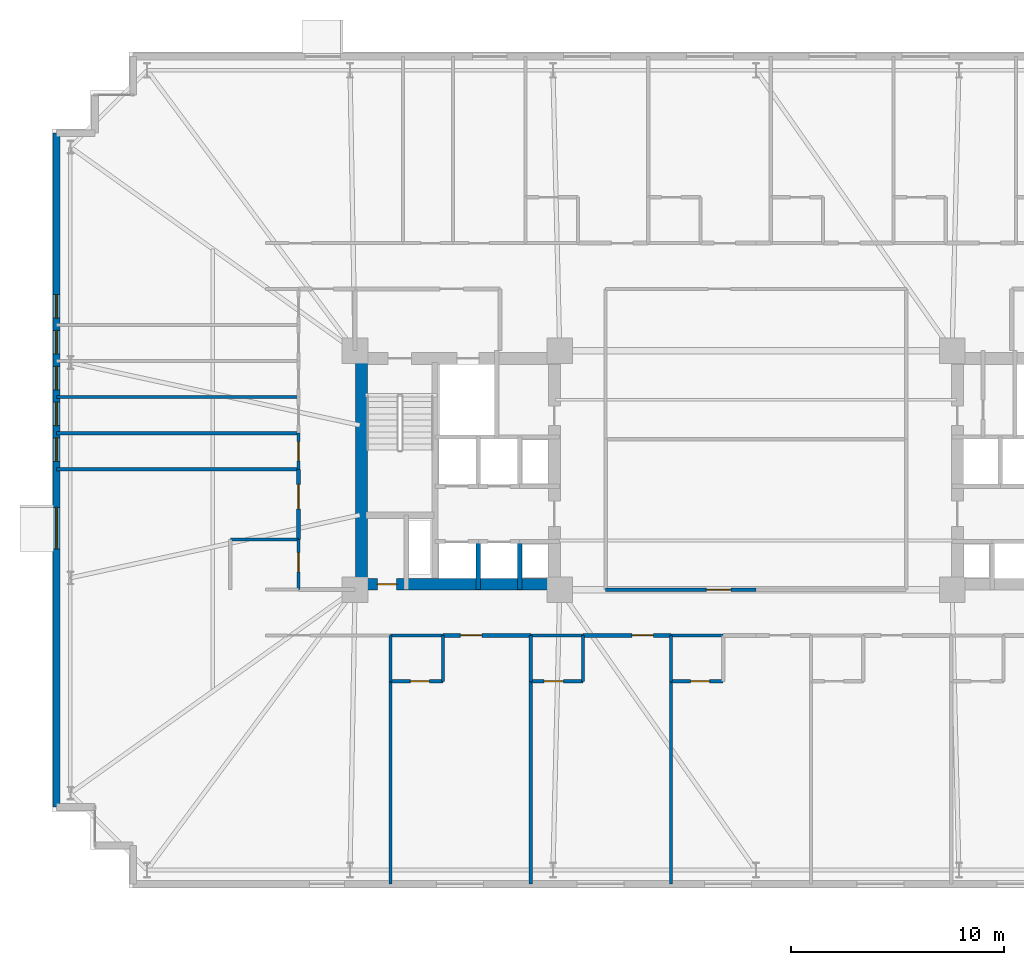
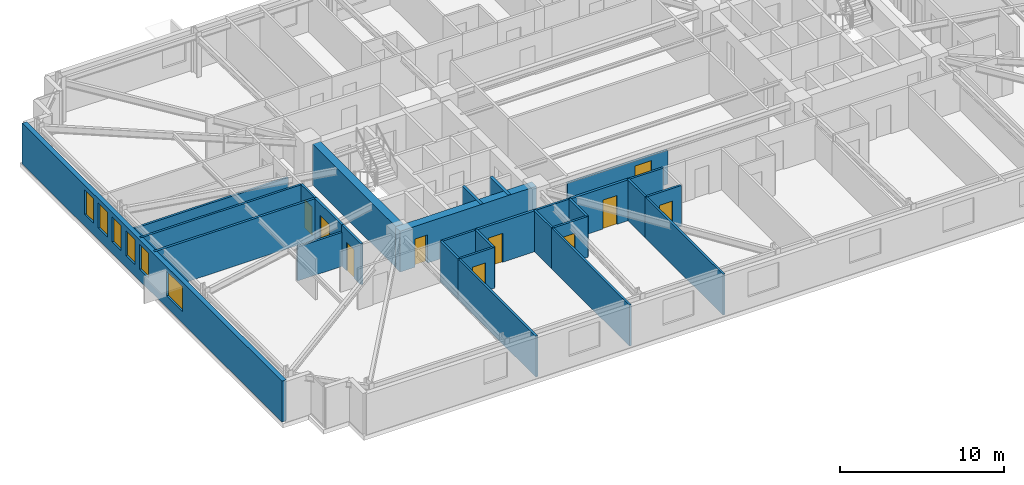
# One storey, part 14 of 21: 29 walls, 10 doors, 6 windows, 16 openings.
"""IFC4 building model written with IfcOpenShell, lengths in metres."""

from ifc_helpers import new_model, si_unit, direction, frame, frame_2d, origin, place, context, subcontext, project, spatial, rectangle, extrude, material, layer, layer_set, type_object, element, fill, save


model = new_model("IFC4")

# Units and contexts
model_context = context("Model", 3, precision=1e-05, world=origin(), true_north=direction((0.0, 1.0)))
body_context = subcontext(model_context, "Body", "Model", "MODEL_VIEW")
ifc_project = project(units=[si_unit("LENGTHUNIT", "METRE"), si_unit("AREAUNIT", "SQUARE_METRE"), si_unit("VOLUMEUNIT", "CUBIC_METRE"), si_unit("PLANEANGLEUNIT", "RADIAN"), si_unit("MASSUNIT", "GRAM", prefix="KILO")], contexts=[model_context])

# Site, building, storey
site_placement = place(None, origin())
site = spatial("IfcSite", under=ifc_project, at=site_placement, CompositionType="ELEMENT")
building_placement = place(site_placement, origin())
building = spatial("IfcBuilding", under=site, at=building_placement, Name="Qobustan Lattice House", CompositionType="ELEMENT")
storey_placement = place(building_placement, frame((0.0, 0.0, 57.14990234375)))
storey = spatial("IfcBuildingStorey", under=building, at=storey_placement, Name="L15", CompositionType="ELEMENT", Elevation=57.14990234375)

# Wall, opening, door
ifc_material_1 = material(Name="Concrete C60/75", Category="concrete")
ifc_layer_1 = layer(ifc_material_1, 0.56005859375)
ifc_layer_set_1 = layer_set([ifc_layer_1], Name="Concrete C60/75")
wall_type_1 = type_object("IfcWallType", Name="WAL-CORE-600", PredefinedType="SHEAR", material=ifc_layer_set_1)
wall_1_placement = place(storey_placement, frame((-18.800048828125, -5.35009765625, 0.0), z_axis=(0.0, 0.0, 1.0), x_axis=(1.0, 0.0, 0.0)))
wall_1 = element("IfcWall", 1, at=wall_1_placement, inside=storey, type_object=wall_type_1, Name="L15 split-core shear wall CW-S", PredefinedType="SHEAR", context=body_context, shape_type="SweptSolid", body=[
    extrude(rectangle(XDim=9.60009765625, YDim=0.56005859375, at=frame_2d((4.800048828125, 0.0))), origin(), (0.0, 0.0, 1.0), 3.03515625),
])
opening_1_placement = place(wall_1_placement, frame((1.050048828125, 0.0, 0.0)))
opening_1 = element("IfcOpeningElement", 2, at=opening_1_placement, cuts=wall_1, Name="Opening RD-01", PredefinedType="OPENING", context=body_context, shape_type="SweptSolid", body=[
    extrude(rectangle(XDim=0.89990234375, YDim=2.10009765625, at=frame_2d((0.449951171875, 1.050048828125))), frame((0.0, 0.2900390625, 0.0), z_axis=(0.0, -1.0, 0.0), x_axis=(1.0, 0.0, 0.0)), (0.0, 0.0, 1.0), 0.580078125),
])
ifc_material_2 = material(Name="Persian walnut timber and steel frame door", Category="steel")
door_type_1 = type_object("IfcDoorType", Name="DOR-RISER-FD-900x2100", OperationType="NOTDEFINED", PredefinedType="DOOR", material=ifc_material_2)
door_1_placement = place(opening_1_placement, origin())
door_1 = element("IfcDoor", 3, at=door_1_placement, inside=storey, type_object=door_type_1, Name="L15 core service riser access door W", OperationType="SINGLE_SWING_RIGHT", OverallHeight=2.10009765625, OverallWidth=0.89990234375, PredefinedType="DOOR", context=body_context, shape_type="SweptSolid", body=[
    extrude(rectangle(XDim=0.89990234375, YDim=2.10009765625, at=frame_2d((0.449951171875, 1.050048828125))), frame((0.0, 0.02490234375, 0.0), z_axis=(0.0, -1.0, 0.0), x_axis=(1.0, 0.0, 0.0)), (0.0, 0.0, 1.0), 0.050048828125),
])
fill(opening_1, door_1)

# Wall
wall_2_placement = place(storey_placement, frame((-18.489990234375, -5.050048828125, 0.0), z_axis=(0.0, 0.0, 1.0), x_axis=(0.0, 1.0, 0.0)))
element("IfcWall", 4, at=wall_2_placement, inside=storey, type_object=wall_type_1, Name="L15 split-core shear wall CW-W", PredefinedType="SHEAR", context=body_context, shape_type="SweptSolid", body=[
    extrude(rectangle(XDim=10.10009765625, YDim=0.56005859375, at=frame_2d((5.050048828125, 0.0))), origin(), (0.0, 0.0, 1.0), 3.03515625),
])

# Wall, openings, windows
ifc_material_3 = material(Name="Precast concrete C40/50", Category="concrete")
ifc_layer_2 = layer(ifc_material_3, 0.320068359375)
ifc_layer_set_2 = layer_set([ifc_layer_2], Name="Precast concrete C40/50")
wall_type_2 = type_object("IfcWallType", Name="WAL-EXT-STONE-320", PredefinedType="SOLIDWALL", material=ifc_layer_set_2)
wall_3_placement = place(storey_placement, frame((-32.800048828125, -15.800048828125, 0.0), z_axis=(0.0, 0.0, 1.0), x_axis=(0.0, 1.0, 0.0)))
wall_3 = element("IfcWall", 5, at=wall_3_placement, inside=storey, type_object=wall_type_2, Name="L15 exterior limestone-clad wall 5", PredefinedType="SOLIDWALL", context=body_context, shape_type="SweptSolid", body=[
    extrude(rectangle(XDim=31.60009765625, YDim=0.320068359375, at=frame_2d((15.800048828125, 0.0))), origin(), (0.0, 0.0, 1.0), 3.03515625),
])
opening_2_placement = place(wall_3_placement, frame((12.10498046875, 0.0, 0.85009765625)))
opening_2 = element("IfcOpeningElement", 6, at=opening_2_placement, cuts=wall_3, Name="Opening WN-08", PredefinedType="OPENING", context=body_context, shape_type="SweptSolid", body=[
    extrude(rectangle(XDim=1.949951171875, YDim=1.85009765625, at=frame_2d((0.97509765625, 0.925048828125))), frame((0.0, 0.169921875, 0.0), z_axis=(0.0, -1.0, 0.0), x_axis=(1.0, 0.0, 0.0)), (0.0, 0.0, 1.0), 0.340087890625),
])
opening_3_placement = place(wall_3_placement, frame((16.2099609375, 0.0, 0.85009765625)))
opening_3 = element("IfcOpeningElement", 7, at=opening_3_placement, cuts=wall_3, Name="Opening WN-04", PredefinedType="OPENING", context=body_context, shape_type="SweptSolid", body=[
    extrude(rectangle(XDim=1.10009765625, YDim=1.85009765625, at=frame_2d((0.550048828125, 0.925048828125))), frame((0.0, 0.169921875, 0.0), z_axis=(0.0, -1.0, 0.0), x_axis=(1.0, 0.0, 0.0)), (0.0, 0.0, 1.0), 0.340087890625),
])
opening_4_placement = place(wall_3_placement, frame((17.889892578125, 0.0, 0.85009765625)))
opening_4 = element("IfcOpeningElement", 8, at=opening_4_placement, cuts=wall_3, Name="Opening WN-04", PredefinedType="OPENING", context=body_context, shape_type="SweptSolid", body=[
    extrude(rectangle(XDim=1.10009765625, YDim=1.85009765625, at=frame_2d((0.550048828125, 0.925048828125))), frame((0.0, 0.169921875, 0.0), z_axis=(0.0, -1.0, 0.0), x_axis=(1.0, 0.0, 0.0)), (0.0, 0.0, 1.0), 0.340087890625),
])
opening_5_placement = place(wall_3_placement, frame((19.570068359375, 0.0, 0.85009765625)))
opening_5 = element("IfcOpeningElement", 9, at=opening_5_placement, cuts=wall_3, Name="Opening WN-04", PredefinedType="OPENING", context=body_context, shape_type="SweptSolid", body=[
    extrude(rectangle(XDim=1.10009765625, YDim=1.85009765625, at=frame_2d((0.550048828125, 0.925048828125))), frame((0.0, 0.169921875, 0.0), z_axis=(0.0, -1.0, 0.0), x_axis=(1.0, 0.0, 0.0)), (0.0, 0.0, 1.0), 0.340087890625),
])
opening_6_placement = place(wall_3_placement, frame((21.25, 0.0, 0.85009765625)))
opening_6 = element("IfcOpeningElement", 10, at=opening_6_placement, cuts=wall_3, Name="Opening WN-04", PredefinedType="OPENING", context=body_context, shape_type="SweptSolid", body=[
    extrude(rectangle(XDim=1.10009765625, YDim=1.85009765625, at=frame_2d((0.550048828125, 0.925048828125))), frame((0.0, 0.169921875, 0.0), z_axis=(0.0, -1.0, 0.0), x_axis=(1.0, 0.0, 0.0)), (0.0, 0.0, 1.0), 0.340087890625),
])
opening_7_placement = place(wall_3_placement, frame((22.929931640625, 0.0, 0.85009765625)))
opening_7 = element("IfcOpeningElement", 11, at=opening_7_placement, cuts=wall_3, Name="Opening WN-04", PredefinedType="OPENING", context=body_context, shape_type="SweptSolid", body=[
    extrude(rectangle(XDim=1.10009765625, YDim=1.85009765625, at=frame_2d((0.550048828125, 0.925048828125))), frame((0.0, 0.169921875, 0.0), z_axis=(0.0, -1.0, 0.0), x_axis=(1.0, 0.0, 0.0)), (0.0, 0.0, 1.0), 0.340087890625),
])
ifc_material_4 = material(Name="Double-glazed low-E aluminium window", Category="aluminium")
window_type_1 = type_object("IfcWindowType", Name="WIN-KIT-1950x1850", PartitioningType="SINGLE_PANEL", PredefinedType="WINDOW", material=ifc_material_4)
window_1_placement = place(opening_2_placement, origin())
window_1 = element("IfcWindow", 12, at=window_1_placement, inside=storey, type_object=window_type_1, Name="L15 Shared kitchen L15W window", OverallHeight=1.85009765625, OverallWidth=1.949951171875, PartitioningType="SINGLE_PANEL", PredefinedType="WINDOW", context=body_context, shape_type="SweptSolid", body=[
    extrude(rectangle(XDim=1.949951171875, YDim=1.85009765625, at=frame_2d((0.97509765625, 0.925048828125))), frame((0.0, 0.030029296875, 0.0), z_axis=(0.0, -1.0, 0.0), x_axis=(1.0, 0.0, 0.0)), (0.0, 0.0, 1.0), 0.06005859375),
])
fill(opening_2, window_1)
ifc_material_5 = material(Name="Double-glazed low-E aluminium window", Category="aluminium")
window_type_2 = type_object("IfcWindowType", Name="WIN-NAR-1100x1850", PartitioningType="SINGLE_PANEL", PredefinedType="WINDOW", material=ifc_material_5)
window_2_placement = place(opening_3_placement, origin())
window_2 = element("IfcWindow", 13, at=window_2_placement, inside=storey, type_object=window_type_2, Name="L15 Cluster bedroom L15W1 window", OverallHeight=1.85009765625, OverallWidth=1.10009765625, PartitioningType="SINGLE_PANEL", PredefinedType="WINDOW", context=body_context, shape_type="SweptSolid", body=[
    extrude(rectangle(XDim=1.10009765625, YDim=1.85009765625, at=frame_2d((0.550048828125, 0.925048828125))), frame((0.0, 0.030029296875, 0.0), z_axis=(0.0, -1.0, 0.0), x_axis=(1.0, 0.0, 0.0)), (0.0, 0.0, 1.0), 0.06005859375),
])
fill(opening_3, window_2)
window_3_placement = place(opening_4_placement, origin())
window_3 = element("IfcWindow", 14, at=window_3_placement, inside=storey, type_object=window_type_2, Name="L15 Cluster bedroom L15W2 window", OverallHeight=1.85009765625, OverallWidth=1.10009765625, PartitioningType="SINGLE_PANEL", PredefinedType="WINDOW", context=body_context, shape_type="SweptSolid", body=[
    extrude(rectangle(XDim=1.10009765625, YDim=1.85009765625, at=frame_2d((0.550048828125, 0.925048828125))), frame((0.0, 0.030029296875, 0.0), z_axis=(0.0, -1.0, 0.0), x_axis=(1.0, 0.0, 0.0)), (0.0, 0.0, 1.0), 0.06005859375),
])
fill(opening_4, window_3)
window_4_placement = place(opening_5_placement, origin())
window_4 = element("IfcWindow", 15, at=window_4_placement, inside=storey, type_object=window_type_2, Name="L15 Cluster bedroom L15W3 window", OverallHeight=1.85009765625, OverallWidth=1.10009765625, PartitioningType="SINGLE_PANEL", PredefinedType="WINDOW", context=body_context, shape_type="SweptSolid", body=[
    extrude(rectangle(XDim=1.10009765625, YDim=1.85009765625, at=frame_2d((0.550048828125, 0.925048828125))), frame((0.0, 0.030029296875, 0.0), z_axis=(0.0, -1.0, 0.0), x_axis=(1.0, 0.0, 0.0)), (0.0, 0.0, 1.0), 0.06005859375),
])
fill(opening_5, window_4)
window_5_placement = place(opening_6_placement, origin())
window_5 = element("IfcWindow", 16, at=window_5_placement, inside=storey, type_object=window_type_2, Name="L15 Cluster bedroom L15W4 window", OverallHeight=1.85009765625, OverallWidth=1.10009765625, PartitioningType="SINGLE_PANEL", PredefinedType="WINDOW", context=body_context, shape_type="SweptSolid", body=[
    extrude(rectangle(XDim=1.10009765625, YDim=1.85009765625, at=frame_2d((0.550048828125, 0.925048828125))), frame((0.0, 0.030029296875, 0.0), z_axis=(0.0, -1.0, 0.0), x_axis=(1.0, 0.0, 0.0)), (0.0, 0.0, 1.0), 0.06005859375),
])
fill(opening_6, window_5)
window_6_placement = place(opening_7_placement, origin())
window_6 = element("IfcWindow", 17, at=window_6_placement, inside=storey, type_object=window_type_2, Name="L15 Cluster bedroom L15W5 window", OverallHeight=1.85009765625, OverallWidth=1.10009765625, PartitioningType="SINGLE_PANEL", PredefinedType="WINDOW", context=body_context, shape_type="SweptSolid", body=[
    extrude(rectangle(XDim=1.10009765625, YDim=1.85009765625, at=frame_2d((0.550048828125, 0.925048828125))), frame((0.0, 0.030029296875, 0.0), z_axis=(0.0, -1.0, 0.0), x_axis=(1.0, 0.0, 0.0)), (0.0, 0.0, 1.0), 0.06005859375),
])
fill(opening_7, window_6)

# Wall, opening, door
ifc_material_6 = material(Name="Gypsum fireboard acoustic partition", Category="gypsum")
ifc_layer_3 = layer(ifc_material_6, 0.179931640625)
ifc_layer_set_3 = layer_set([ifc_layer_3], Name="Gypsum fireboard acoustic partition")
wall_type_3 = type_object("IfcWallType", Name="WAL-FIRE-180", PredefinedType="PARTITIONING", material=ifc_layer_set_3)
wall_4_placement = place(storey_placement, frame((-10.556884765625, -7.75, 0.0), z_axis=(0.0, 0.0, 1.0), x_axis=(-1.0, 0.0, 0.0)))
wall_4 = element("IfcWall", 18, at=wall_4_placement, inside=storey, type_object=wall_type_3, Name="L15 interior partition 60", PredefinedType="PARTITIONING", context=body_context, shape_type="SweptSolid", body=[
    extrude(rectangle(XDim=4.1220703125, YDim=0.179931640625, at=frame_2d((2.06103515625, 0.0))), origin(), (0.0, 0.0, 1.0), 3.03515625),
])
opening_8_placement = place(wall_4_placement, frame((2.296630859375, 0.0, 0.0)))
opening_8 = element("IfcOpeningElement", 19, at=opening_8_placement, cuts=wall_4, Name="Opening FD-02", PredefinedType="OPENING", context=body_context, shape_type="SweptSolid", body=[
    extrude(rectangle(XDim=1.0, YDim=2.14990234375, at=frame_2d((0.5, 1.074951171875))), frame((0.0, 0.099853515625, 0.0), z_axis=(0.0, -1.0, 0.0), x_axis=(1.0, 0.0, 0.0)), (0.0, 0.0, 1.0), 0.199951171875),
])
ifc_material_7 = material(Name="Persian walnut timber and steel frame door", Category="steel")
door_type_2 = type_object("IfcDoorType", Name="DOR-UNIT-FD-1000x2150", OperationType="NOTDEFINED", PredefinedType="DOOR", material=ifc_material_7)
door_2_placement = place(opening_8_placement, origin())
door_2 = element("IfcDoor", 20, at=door_2_placement, inside=storey, type_object=door_type_2, Name="L15 South-west floor corridor to Kitchenette and studio apartment L15-S2 door", OperationType="SINGLE_SWING_RIGHT", OverallHeight=2.14990234375, OverallWidth=1.0, PredefinedType="DOOR", context=body_context, shape_type="SweptSolid", body=[
    extrude(rectangle(XDim=1.0, YDim=2.14990234375, at=frame_2d((0.5, 1.074951171875))), frame((0.0, 0.02490234375, 0.0), z_axis=(0.0, -1.0, 0.0), x_axis=(1.0, 0.0, 0.0)), (0.0, 0.0, 1.0), 0.050048828125),
])
fill(opening_8, door_2)

wall_5_placement = place(storey_placement, frame((-3.986083984375, -7.75, 0.0), z_axis=(0.0, 0.0, 1.0), x_axis=(-1.0, 0.0, 0.0)))
wall_5 = element("IfcWall", 21, at=wall_5_placement, inside=storey, type_object=wall_type_3, Name="L15 interior partition 62", PredefinedType="PARTITIONING", context=body_context, shape_type="SweptSolid", body=[
    extrude(rectangle(XDim=4.120849609375, YDim=0.179931640625, at=frame_2d((2.060546875, 0.0))), origin(), (0.0, 0.0, 1.0), 3.03515625),
])
opening_9_placement = place(wall_5_placement, frame((0.8251953125, 0.0, 0.0)))
opening_9 = element("IfcOpeningElement", 22, at=opening_9_placement, cuts=wall_5, Name="Opening FD-02", PredefinedType="OPENING", context=body_context, shape_type="SweptSolid", body=[
    extrude(rectangle(XDim=1.0, YDim=2.14990234375, at=frame_2d((0.5, 1.074951171875))), frame((0.0, 0.099853515625, 0.0), z_axis=(0.0, -1.0, 0.0), x_axis=(1.0, 0.0, 0.0)), (0.0, 0.0, 1.0), 0.199951171875),
])
door_3_placement = place(opening_9_placement, origin())
door_3 = element("IfcDoor", 23, at=door_3_placement, inside=storey, type_object=door_type_2, Name="L15 South-west floor corridor to Kitchenette and studio apartment L15-S3 door", OperationType="SINGLE_SWING_LEFT", OverallHeight=2.14990234375, OverallWidth=1.0, PredefinedType="DOOR", context=body_context, shape_type="SweptSolid", body=[
    extrude(rectangle(XDim=1.0, YDim=2.14990234375, at=frame_2d((0.5, 1.074951171875))), frame((0.0, 0.02490234375, 0.0), z_axis=(0.0, -1.0, 0.0), x_axis=(1.0, 0.0, 0.0)), (0.0, 0.0, 1.0), 0.050048828125),
])
fill(opening_9, door_3)

ifc_material_8 = material(Name="Acoustic twin-stud gypsum partition", Category="gypsum")
ifc_layer_4 = layer(ifc_material_8, 0.14990234375)
ifc_layer_set_4 = layer_set([ifc_layer_4], Name="Acoustic twin-stud gypsum partition")
wall_type_4 = type_object("IfcWallType", Name="WAL-PART-150", PredefinedType="PARTITIONING", material=ifc_layer_set_4)
wall_6_placement = place(storey_placement, frame((-21.449951171875, 0.0400390625, 0.0), z_axis=(0.0, 0.0, 1.0), x_axis=(0.0, 1.0, 0.0)))
wall_6 = element("IfcWall", 24, at=wall_6_placement, inside=storey, type_object=wall_type_4, Name="L15 interior partition 83", PredefinedType="PARTITIONING", context=body_context, shape_type="SweptSolid", body=[
    extrude(rectangle(XDim=1.69189453125, YDim=0.14990234375, at=frame_2d((0.845947265625, 0.0))), origin(), (0.0, 0.0, 1.0), 3.03515625),
])
opening_10_placement = place(wall_6_placement, frame((0.39599609375, 0.0, 0.0)))
opening_10 = element("IfcOpeningElement", 25, at=opening_10_placement, cuts=wall_6, Name="Opening WD-01", PredefinedType="OPENING", context=body_context, shape_type="SweptSolid", body=[
    extrude(rectangle(XDim=0.89990234375, YDim=2.10009765625, at=frame_2d((0.449951171875, 1.050048828125))), frame((0.0, 0.0849609375, 0.0), z_axis=(0.0, -1.0, 0.0), x_axis=(1.0, 0.0, 0.0)), (0.0, 0.0, 1.0), 0.169921875),
])
ifc_material_9 = material(Name="Persian walnut timber and steel frame door", Category="steel")
door_type_3 = type_object("IfcDoorType", Name="DOR-WET-900x2100", OperationType="NOTDEFINED", PredefinedType="DOOR", material=ifc_material_9)
door_4_placement = place(opening_10_placement, origin())
door_4 = element("IfcDoor", 26, at=door_4_placement, inside=storey, type_object=door_type_3, Name="L15 Residence entrance hall L15W to Cluster bedroom L15W1 door", OperationType="SINGLE_SWING_RIGHT", OverallHeight=2.10009765625, OverallWidth=0.89990234375, PredefinedType="DOOR", context=body_context, shape_type="SweptSolid", body=[
    extrude(rectangle(XDim=0.89990234375, YDim=2.10009765625, at=frame_2d((0.449951171875, 1.050048828125))), frame((0.0, 0.02490234375, 0.0), z_axis=(0.0, -1.0, 0.0), x_axis=(1.0, 0.0, 0.0)), (0.0, 0.0, 1.0), 0.050048828125),
])
fill(opening_10, door_4)

# Walls
wall_7_placement = place(storey_placement, frame((-32.800048828125, 1.73193359375, 0.0), z_axis=(0.0, 0.0, 1.0), x_axis=(1.0, 0.0, 0.0)))
element("IfcWall", 27, at=wall_7_placement, inside=storey, type_object=wall_type_4, Name="L15 interior partition 91", PredefinedType="PARTITIONING", context=body_context, shape_type="SweptSolid", body=[
    extrude(rectangle(XDim=11.35009765625, YDim=0.14990234375, at=frame_2d((5.675048828125, 0.0))), origin(), (0.0, 0.0, 1.0), 3.03515625),
])
wall_8_placement = place(storey_placement, frame((-32.800048828125, 3.424072265625, 0.0), z_axis=(0.0, 0.0, 1.0), x_axis=(1.0, 0.0, 0.0)))
element("IfcWall", 28, at=wall_8_placement, inside=storey, type_object=wall_type_4, Name="L15 interior partition 92", PredefinedType="PARTITIONING", context=body_context, shape_type="SweptSolid", body=[
    extrude(rectangle(XDim=11.35009765625, YDim=0.14990234375, at=frame_2d((5.675048828125, 0.0))), origin(), (0.0, 0.0, 1.0), 2.52001953125),
])
for number, where, z_axis, x_axis, name in (
    (29, (-17.12890625, -9.89990234375, 0.0), (0.0, 0.0, 1.0), (0.0, -1.0, 0.0), "L15 interior partition 132"),
    (30, (-10.556884765625, -9.89990234375, 0.0), (0.0, 0.0, 1.0), (0.0, -1.0, 0.0), "L15 interior partition 136"),
    (31, (-3.986083984375, -9.89990234375, 0.0), (0.0, 0.0, 1.0), (0.0, -1.0, 0.0), "L15 interior partition 140"),
):
    element("IfcWall", number, at=place(storey_placement, frame(where, z_axis=z_axis, x_axis=x_axis)), inside=storey, type_object=wall_type_4, Name=name, PredefinedType="PARTITIONING", context=body_context, shape_type="SweptSolid", body=[
        extrude(rectangle(XDim=9.5, YDim=0.14990234375, at=frame_2d((4.75, 0.0))), origin(), (0.0, 0.0, 1.0), 3.03515625),
    ])

# Wall, opening, door
ifc_material_10 = material(Name="High-mass acoustic twin-stud partition", Category="gypsum")
ifc_layer_5 = layer(ifc_material_10, 0.1650390625)
ifc_layer_set_5 = layer_set([ifc_layer_5], Name="High-mass acoustic twin-stud partition")
wall_type_5 = type_object("IfcWallType", Name="WAL-PART-165", PredefinedType="PARTITIONING", material=ifc_layer_set_5)
wall_9_placement = place(storey_placement, frame((-7.050048828125, -5.60009765625, 0.0), z_axis=(0.0, 0.0, 1.0), x_axis=(1.0, 0.0, 0.0)))
wall_9 = element("IfcWall", 32, at=wall_9_placement, inside=storey, type_object=wall_type_5, Name="L15 interior partition 66", PredefinedType="PARTITIONING", context=body_context, shape_type="SweptSolid", body=[
    extrude(rectangle(XDim=7.050048828125, YDim=0.1650390625, at=frame_2d((3.52490234375, 0.0))), origin(), (0.0, 0.0, 1.0), 2.52001953125),
])
opening_11_placement = place(wall_9_placement, frame((4.7275390625, 0.0, 0.0)))
opening_11 = element("IfcOpeningElement", 33, at=opening_11_placement, cuts=wall_9, Name="Opening ID-03", PredefinedType="OPENING", context=body_context, shape_type="SweptSolid", body=[
    extrude(rectangle(XDim=1.14990234375, YDim=2.14990234375, at=frame_2d((0.574951171875, 1.074951171875))), frame((0.0, 0.092529296875, 0.0), z_axis=(0.0, -1.0, 0.0), x_axis=(1.0, 0.0, 0.0)), (0.0, 0.0, 1.0), 0.18505859375),
])
ifc_material_11 = material(Name="Persian walnut timber and steel frame door", Category="steel")
door_type_4 = type_object("IfcDoorType", Name="DOR-KITCH-1150x2150", OperationType="NOTDEFINED", PredefinedType="DOOR", material=ifc_material_11)
door_5_placement = place(opening_11_placement, origin())
door_5 = element("IfcDoor", 34, at=door_5_placement, inside=storey, type_object=door_type_4, Name="L15 South-west floor corridor to Communal dining kitchen door", OperationType="SINGLE_SWING_RIGHT", OverallHeight=2.14990234375, OverallWidth=1.14990234375, PredefinedType="DOOR", context=body_context, shape_type="SweptSolid", body=[
    extrude(rectangle(XDim=1.14990234375, YDim=2.14990234375, at=frame_2d((0.574951171875, 1.074951171875))), frame((0.0, 0.02490234375, 0.0), z_axis=(0.0, -1.0, 0.0), x_axis=(1.0, 0.0, 0.0)), (0.0, 0.0, 1.0), 0.050048828125),
])
fill(opening_11, door_5)

wall_10_placement = place(storey_placement, frame((-21.449951171875, -3.25, 0.0), z_axis=(0.0, 0.0, 1.0), x_axis=(0.0, 1.0, 0.0)))
wall_10 = element("IfcWall", 35, at=wall_10_placement, inside=storey, type_object=wall_type_5, Name="L15 interior partition 82", PredefinedType="PARTITIONING", context=body_context, shape_type="SweptSolid", body=[
    extrude(rectangle(XDim=3.2900390625, YDim=0.1650390625, at=frame_2d((1.64501953125, 0.0))), origin(), (0.0, 0.0, 1.0), 3.03515625),
])
opening_12_placement = place(wall_10_placement, frame((1.4375, 0.0, 0.0)))
opening_12 = element("IfcOpeningElement", 36, at=opening_12_placement, cuts=wall_10, Name="Opening ID-03", PredefinedType="OPENING", context=body_context, shape_type="SweptSolid", body=[
    extrude(rectangle(XDim=1.14990234375, YDim=2.14990234375, at=frame_2d((0.574951171875, 1.074951171875))), frame((0.0, 0.092529296875, 0.0), z_axis=(0.0, -1.0, 0.0), x_axis=(1.0, 0.0, 0.0)), (0.0, 0.0, 1.0), 0.18505859375),
])
door_6_placement = place(opening_12_placement, origin())
door_6 = element("IfcDoor", 37, at=door_6_placement, inside=storey, type_object=door_type_4, Name="L15 Residence entrance hall L15W to Shared kitchen L15W door", OperationType="SINGLE_SWING_LEFT", OverallHeight=2.14990234375, OverallWidth=1.14990234375, PredefinedType="DOOR", context=body_context, shape_type="SweptSolid", body=[
    extrude(rectangle(XDim=1.14990234375, YDim=2.14990234375, at=frame_2d((0.574951171875, 1.074951171875))), frame((0.0, 0.02490234375, 0.0), z_axis=(0.0, -1.0, 0.0), x_axis=(1.0, 0.0, 0.0)), (0.0, 0.0, 1.0), 0.050048828125),
])
fill(opening_12, door_6)

# Walls
wall_11_placement = place(storey_placement, frame((-32.800048828125, 0.0400390625, 0.0), z_axis=(0.0, 0.0, 1.0), x_axis=(1.0, 0.0, 0.0)))
element("IfcWall", 38, at=wall_11_placement, inside=storey, type_object=wall_type_5, Name="L15 interior partition 90", PredefinedType="PARTITIONING", context=body_context, shape_type="SweptSolid", body=[
    extrude(rectangle(XDim=11.35009765625, YDim=0.1650390625, at=frame_2d((5.675048828125, 0.0))), origin(), (0.0, 0.0, 1.0), 3.03515625),
])
ifc_material_12 = material(Name="Concrete C40/50", Category="concrete")
ifc_layer_6 = layer(ifc_material_12, 0.199951171875)
ifc_layer_set_6 = layer_set([ifc_layer_6], Name="Concrete C40/50")
wall_type_6 = type_object("IfcWallType", Name="WAL-SHAFT-200", PredefinedType="PARTITIONING", material=ifc_layer_set_6)
for number, where, z_axis, x_axis, name in (
    (39, (-13.02001953125, -5.60009765625, 0.0), (0.0, 0.0, 1.0), (0.0, 1.0, 0.0), "L15 interior partition 14"),
    (40, (-11.080078125, -5.60009765625, 0.0), (0.0, 0.0, 1.0), (0.0, 1.0, 0.0), "L15 interior partition 15"),
):
    element("IfcWall", number, at=place(storey_placement, frame(where, z_axis=z_axis, x_axis=x_axis)), inside=storey, type_object=wall_type_6, Name=name, PredefinedType="PARTITIONING", context=body_context, shape_type="SweptSolid", body=[
        extrude(rectangle(XDim=2.25, YDim=0.199951171875, at=frame_2d((1.125, 0.0))), origin(), (0.0, 0.0, 1.0), 3.03515625),
    ])
ifc_material_13 = material(Name="Moisture-resistant acoustic plumbing wall", Category="gypsum")
ifc_layer_7 = layer(ifc_material_13, 0.14990234375)
ifc_layer_set_7 = layer_set([ifc_layer_7], Name="Moisture-resistant acoustic plumbing wall")
wall_type_7 = type_object("IfcWallType", Name="WAL-WET-150", PredefinedType="PLUMBINGWALL", material=ifc_layer_set_7)
for number, where, z_axis, x_axis, name in (
    (41, (-14.678955078125, -7.75, 0.0), (0.0, 0.0, 1.0), (-1.0, 0.0, 0.0), "L15 interior partition 61"),
    (42, (-8.10693359375, -7.75, 0.0), (0.0, 0.0, 1.0), (-1.0, 0.0, 0.0), "L15 interior partition 63"),
):
    element("IfcWall", number, at=place(storey_placement, frame(where, z_axis=z_axis, x_axis=x_axis)), inside=storey, type_object=wall_type_7, Name=name, PredefinedType="PLUMBINGWALL", context=body_context, shape_type="SweptSolid", body=[
        extrude(rectangle(XDim=2.449951171875, YDim=0.14990234375, at=frame_2d((1.22509765625, 0.0))), origin(), (0.0, 0.0, 1.0), 3.03515625),
    ])
wall_12_placement = place(storey_placement, frame((-1.535888671875, -7.75, 0.0), z_axis=(0.0, 0.0, 1.0), x_axis=(-1.0, 0.0, 0.0)))
element("IfcWall", 43, at=wall_12_placement, inside=storey, type_object=wall_type_7, Name="L15 interior partition 65", PredefinedType="PLUMBINGWALL", context=body_context, shape_type="SweptSolid", body=[
    extrude(rectangle(XDim=2.4501953125, YDim=0.14990234375, at=frame_2d((1.22509765625, 0.0))), origin(), (0.0, 0.0, 1.0), 3.03515625),
])

# Wall, opening, door
wall_13_placement = place(storey_placement, frame((-21.449951171875, -5.60009765625, 0.0), z_axis=(0.0, 0.0, 1.0), x_axis=(0.0, 1.0, 0.0)))
wall_13 = element("IfcWall", 44, at=wall_13_placement, inside=storey, type_object=wall_type_7, Name="L15 interior partition 81", PredefinedType="PLUMBINGWALL", context=body_context, shape_type="SweptSolid", body=[
    extrude(rectangle(XDim=2.35009765625, YDim=0.14990234375, at=frame_2d((1.175048828125, 0.0))), origin(), (0.0, 0.0, 1.0), 3.03515625),
])
opening_13_placement = place(wall_13_placement, frame((0.833740234375, 0.0, 0.0)))
opening_13 = element("IfcOpeningElement", 45, at=opening_13_placement, cuts=wall_13, Name="Opening WD-01", PredefinedType="OPENING", context=body_context, shape_type="SweptSolid", body=[
    extrude(rectangle(XDim=0.89990234375, YDim=2.10009765625, at=frame_2d((0.449951171875, 1.050048828125))), frame((0.0, 0.0849609375, 0.0), z_axis=(0.0, -1.0, 0.0), x_axis=(1.0, 0.0, 0.0)), (0.0, 0.0, 1.0), 0.169921875),
])
door_7_placement = place(opening_13_placement, origin())
door_7 = element("IfcDoor", 46, at=door_7_placement, inside=storey, type_object=door_type_3, Name="L15 Residence entrance hall L15W to Shared bathroom L15W door", OperationType="SINGLE_SWING_RIGHT", OverallHeight=2.10009765625, OverallWidth=0.89990234375, PredefinedType="DOOR", context=body_context, shape_type="SweptSolid", body=[
    extrude(rectangle(XDim=0.89990234375, YDim=2.10009765625, at=frame_2d((0.449951171875, 1.050048828125))), frame((0.0, 0.02490234375, 0.0), z_axis=(0.0, -1.0, 0.0), x_axis=(1.0, 0.0, 0.0)), (0.0, 0.0, 1.0), 0.050048828125),
])
fill(opening_13, door_7)

# Walls
wall_14_placement = place(storey_placement, frame((-24.64990234375, -3.25, 0.0), z_axis=(0.0, 0.0, 1.0), x_axis=(1.0, 0.0, 0.0)))
element("IfcWall", 47, at=wall_14_placement, inside=storey, type_object=wall_type_7, Name="L15 interior partition 88", PredefinedType="PLUMBINGWALL", context=body_context, shape_type="SweptSolid", body=[
    extrude(rectangle(XDim=3.199951171875, YDim=0.14990234375, at=frame_2d((1.60009765625, 0.0))), origin(), (0.0, 0.0, 1.0), 2.52001953125),
])
wall_15_placement = place(storey_placement, frame((-17.12890625, -7.75, 0.0), z_axis=(0.0, 0.0, 1.0), x_axis=(0.0, -1.0, 0.0)))
element("IfcWall", 48, at=wall_15_placement, inside=storey, type_object=wall_type_7, Name="L15 interior partition 133", PredefinedType="PLUMBINGWALL", context=body_context, shape_type="SweptSolid", body=[
    extrude(rectangle(XDim=2.14990234375, YDim=0.14990234375, at=frame_2d((1.074951171875, 0.0))), origin(), (0.0, 0.0, 1.0), 3.03515625),
])

# Wall, opening, door
wall_16_placement = place(storey_placement, frame((-17.12890625, -9.89990234375, 0.0), z_axis=(0.0, 0.0, 1.0), x_axis=(1.0, 0.0, 0.0)))
wall_16 = element("IfcWall", 49, at=wall_16_placement, inside=storey, type_object=wall_type_7, Name="L15 interior partition 134", PredefinedType="PLUMBINGWALL", context=body_context, shape_type="SweptSolid", body=[
    extrude(rectangle(XDim=2.449951171875, YDim=0.14990234375, at=frame_2d((1.22509765625, 0.0))), origin(), (0.0, 0.0, 1.0), 3.03515625),
])
opening_14_placement = place(wall_16_placement, frame((0.92138671875, 0.0, 0.0)))
opening_14 = element("IfcOpeningElement", 50, at=opening_14_placement, cuts=wall_16, Name="Opening WD-01", PredefinedType="OPENING", context=body_context, shape_type="SweptSolid", body=[
    extrude(rectangle(XDim=0.89990234375, YDim=2.10009765625, at=frame_2d((0.449951171875, 1.050048828125))), frame((0.0, 0.0849609375, 0.0), z_axis=(0.0, -1.0, 0.0), x_axis=(1.0, 0.0, 0.0)), (0.0, 0.0, 1.0), 0.169921875),
])
door_8_placement = place(opening_14_placement, origin())
door_8 = element("IfcDoor", 51, at=door_8_placement, inside=storey, type_object=door_type_3, Name="L15 Kitchenette and studio apartment L15-S2 to En-suite bathroom L15-S2 door", OperationType="SINGLE_SWING_LEFT", OverallHeight=2.10009765625, OverallWidth=0.89990234375, PredefinedType="DOOR", context=body_context, shape_type="SweptSolid", body=[
    extrude(rectangle(XDim=0.89990234375, YDim=2.10009765625, at=frame_2d((0.449951171875, 1.050048828125))), frame((0.0, 0.02490234375, 0.0), z_axis=(0.0, -1.0, 0.0), x_axis=(1.0, 0.0, 0.0)), (0.0, 0.0, 1.0), 0.050048828125),
])
fill(opening_14, door_8)

# Walls
for number, where, z_axis, x_axis, name in (
    (52, (-14.678955078125, -9.89990234375, 0.0), (0.0, 0.0, 1.0), (0.0, 1.0, 0.0), "L15 interior partition 135"),
    (53, (-10.556884765625, -7.75, 0.0), (0.0, 0.0, 1.0), (0.0, -1.0, 0.0), "L15 interior partition 137"),
):
    element("IfcWall", number, at=place(storey_placement, frame(where, z_axis=z_axis, x_axis=x_axis)), inside=storey, type_object=wall_type_7, Name=name, PredefinedType="PLUMBINGWALL", context=body_context, shape_type="SweptSolid", body=[
        extrude(rectangle(XDim=2.14990234375, YDim=0.14990234375, at=frame_2d((1.074951171875, 0.0))), origin(), (0.0, 0.0, 1.0), 3.03515625),
    ])

# Wall, opening, door
wall_17_placement = place(storey_placement, frame((-10.556884765625, -9.89990234375, 0.0), z_axis=(0.0, 0.0, 1.0), x_axis=(1.0, 0.0, 0.0)))
wall_17 = element("IfcWall", 54, at=wall_17_placement, inside=storey, type_object=wall_type_7, Name="L15 interior partition 138", PredefinedType="PLUMBINGWALL", context=body_context, shape_type="SweptSolid", body=[
    extrude(rectangle(XDim=2.449951171875, YDim=0.14990234375, at=frame_2d((1.22509765625, 0.0))), origin(), (0.0, 0.0, 1.0), 3.03515625),
])
opening_15_placement = place(wall_17_placement, frame((0.62890625, 0.0, 0.0)))
opening_15 = element("IfcOpeningElement", 55, at=opening_15_placement, cuts=wall_17, Name="Opening WD-01", PredefinedType="OPENING", context=body_context, shape_type="SweptSolid", body=[
    extrude(rectangle(XDim=0.89990234375, YDim=2.10009765625, at=frame_2d((0.449951171875, 1.050048828125))), frame((0.0, 0.0849609375, 0.0), z_axis=(0.0, -1.0, 0.0), x_axis=(1.0, 0.0, 0.0)), (0.0, 0.0, 1.0), 0.169921875),
])
door_9_placement = place(opening_15_placement, origin())
door_9 = element("IfcDoor", 56, at=door_9_placement, inside=storey, type_object=door_type_3, Name="L15 Kitchenette and studio apartment L15-S3 to En-suite bathroom L15-S3 door", OperationType="SINGLE_SWING_RIGHT", OverallHeight=2.10009765625, OverallWidth=0.89990234375, PredefinedType="DOOR", context=body_context, shape_type="SweptSolid", body=[
    extrude(rectangle(XDim=0.89990234375, YDim=2.10009765625, at=frame_2d((0.449951171875, 1.050048828125))), frame((0.0, 0.02490234375, 0.0), z_axis=(0.0, -1.0, 0.0), x_axis=(1.0, 0.0, 0.0)), (0.0, 0.0, 1.0), 0.050048828125),
])
fill(opening_15, door_9)

# Walls
for number, where, z_axis, x_axis, name in (
    (57, (-8.10693359375, -9.89990234375, 0.0), (0.0, 0.0, 1.0), (0.0, 1.0, 0.0), "L15 interior partition 139"),
    (58, (-3.986083984375, -7.75, 0.0), (0.0, 0.0, 1.0), (0.0, -1.0, 0.0), "L15 interior partition 141"),
):
    element("IfcWall", number, at=place(storey_placement, frame(where, z_axis=z_axis, x_axis=x_axis)), inside=storey, type_object=wall_type_7, Name=name, PredefinedType="PLUMBINGWALL", context=body_context, shape_type="SweptSolid", body=[
        extrude(rectangle(XDim=2.14990234375, YDim=0.14990234375, at=frame_2d((1.074951171875, 0.0))), origin(), (0.0, 0.0, 1.0), 3.03515625),
    ])

# Wall, opening, door
wall_18_placement = place(storey_placement, frame((-3.986083984375, -9.89990234375, 0.0), z_axis=(0.0, 0.0, 1.0), x_axis=(1.0, 0.0, 0.0)))
wall_18 = element("IfcWall", 59, at=wall_18_placement, inside=storey, type_object=wall_type_7, Name="L15 interior partition 142", PredefinedType="PLUMBINGWALL", context=body_context, shape_type="SweptSolid", body=[
    extrude(rectangle(XDim=2.4501953125, YDim=0.14990234375, at=frame_2d((1.22509765625, 0.0))), origin(), (0.0, 0.0, 1.0), 3.03515625),
])
opening_16_placement = place(wall_18_placement, frame((0.92138671875, 0.0, 0.0)))
opening_16 = element("IfcOpeningElement", 60, at=opening_16_placement, cuts=wall_18, Name="Opening WD-01", PredefinedType="OPENING", context=body_context, shape_type="SweptSolid", body=[
    extrude(rectangle(XDim=0.89990234375, YDim=2.10009765625, at=frame_2d((0.449951171875, 1.050048828125))), frame((0.0, 0.0849609375, 0.0), z_axis=(0.0, -1.0, 0.0), x_axis=(1.0, 0.0, 0.0)), (0.0, 0.0, 1.0), 0.169921875),
])
door_10_placement = place(opening_16_placement, origin())
door_10 = element("IfcDoor", 61, at=door_10_placement, inside=storey, type_object=door_type_3, Name="L15 Kitchenette and studio apartment L15-S4 to En-suite bathroom L15-S4 door", OperationType="SINGLE_SWING_LEFT", OverallHeight=2.10009765625, OverallWidth=0.89990234375, PredefinedType="DOOR", context=body_context, shape_type="SweptSolid", body=[
    extrude(rectangle(XDim=0.89990234375, YDim=2.10009765625, at=frame_2d((0.449951171875, 1.050048828125))), frame((0.0, 0.02490234375, 0.0), z_axis=(0.0, -1.0, 0.0), x_axis=(1.0, 0.0, 0.0)), (0.0, 0.0, 1.0), 0.050048828125),
])
fill(opening_16, door_10)

save(model, "model.ifc")
